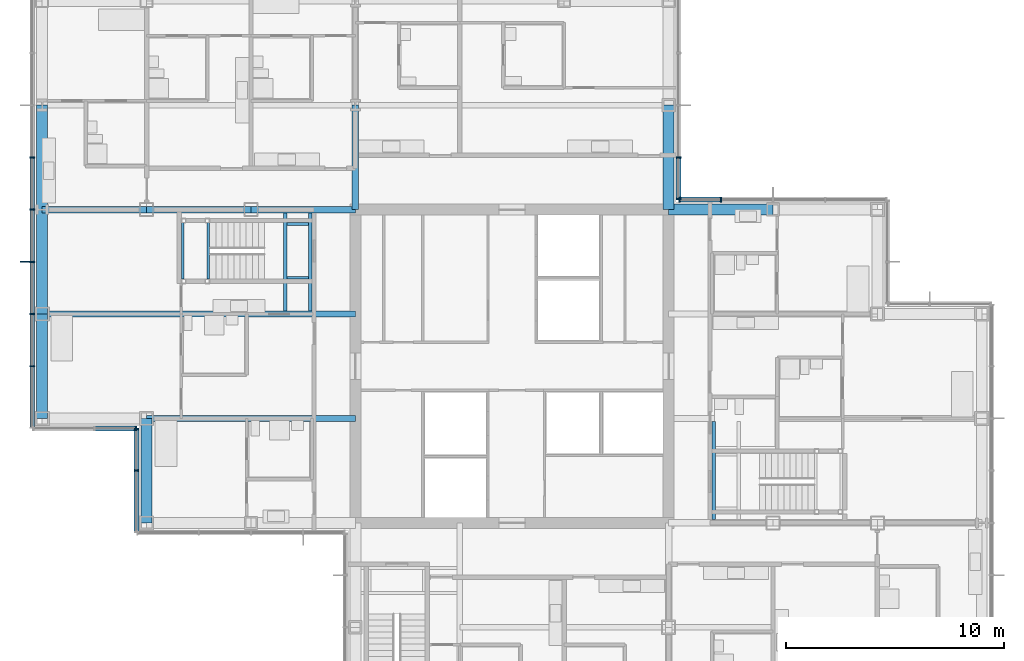
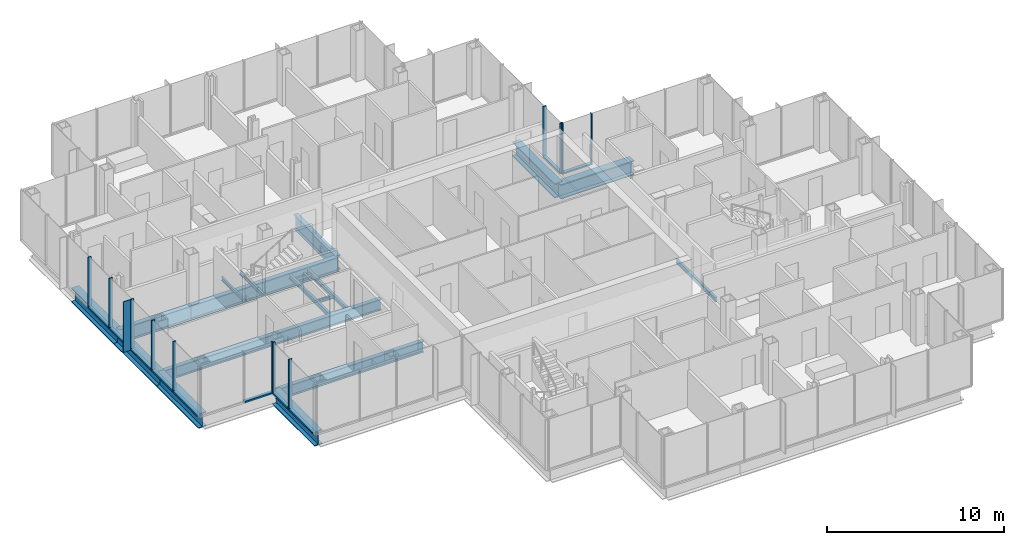
# One storey, part 7 of 20: 23 members, 19 beams, 5 elements without a shape of their own.
"""IFC4 building model written with IfcOpenShell, lengths in metres."""

import ifcopenshell
import ifcopenshell.guid

model = None  # the IFC model being written
_history = None  # IfcOwnerHistory: only IFC2X3 demands one
_inside = {}  # id of a spatial element -> (the spatial element, [elements in it])
_under = {}  # id of a project, library or spatial element -> (it, [spatial elements below it])
_declared = {}  # id of a project -> (the project, [libraries it declares])
_typed = {}  # id of a type object -> (the type object, [elements of that type])
_made_of = {}  # id of a material, layer set ... -> (it, [elements and type objects made of it])


def new_model(schema):
    """Start an empty IFC model of exactly this schema.

    Asked for "IFC4X3", IfcOpenShell would pick the latest addendum, in which some entities
    have other attributes; the version numbers below select the first issue.
    IFC2X3 requires an IfcOwnerHistory on every rooted entity: one is made here for all.
    """
    global model, _history
    if schema == "IFC4X3":
        model = ifcopenshell.file(schema_version=(4, 3, 0, 0))
    else:
        model = ifcopenshell.file(schema=schema)
    _inside.clear()
    _under.clear()
    _declared.clear()
    _typed.clear()
    _made_of.clear()
    _history = None
    if model.schema == "IFC2X3":
        org = make("IfcOrganization", Name="unknown")
        user = make(
            "IfcPersonAndOrganization",
            ThePerson=make("IfcPerson", FamilyName="unknown"),
            TheOrganization=org,
        )
        app = make(
            "IfcApplication",
            ApplicationDeveloper=org,
            Version="unknown",
            ApplicationFullName="unknown",
            ApplicationIdentifier="unknown",
        )
        _history = make(
            "IfcOwnerHistory",
            OwningUser=user,
            OwningApplication=app,
            ChangeAction="ADDED",
            CreationDate=0,
        )
    return model


def make(cls, **values):
    """One entity of the class cls with the attributes given. An attribute that is None is left unset."""
    return model.create_entity(
        cls, **{name: value for name, value in values.items() if value is not None}
    )


def rooted(cls, **values):
    """An entity with a GlobalId (a new one), such as an element, a storey or a relation."""
    return make(cls, GlobalId=ifcopenshell.guid.new(), OwnerHistory=_history, **values)


def si_unit(unit_type, name, prefix=None):
    """IfcSIUnit, for example si_unit("LENGTHUNIT", "METRE", prefix="MILLI")."""
    return make("IfcSIUnit", UnitType=unit_type, Prefix=prefix, Name=name)


def assignment(units):
    """IfcUnitAssignment: the units of a project."""
    return None if units is None else make("IfcUnitAssignment", Units=units)


def point(xyz):
    """IfcCartesianPoint."""
    return None if xyz is None else make("IfcCartesianPoint", Coordinates=xyz)


def direction(xyz):
    """IfcDirection."""
    return None if xyz is None else make("IfcDirection", DirectionRatios=xyz)


def frame(location, z_axis=None, x_axis=None):
    """IfcAxis2Placement3D, a coordinate frame: its origin and axes. An axis left out is left unset."""
    return make(
        "IfcAxis2Placement3D",
        Location=point(location),
        Axis=direction(z_axis),
        RefDirection=direction(x_axis),
    )


def frame_2d(location, x_axis=None):
    """IfcAxis2Placement2D, a coordinate frame in the plane: its origin and x axis."""
    return make(
        "IfcAxis2Placement2D", Location=point(location), RefDirection=direction(x_axis)
    )


def origin():
    """The frame at (0, 0, 0) with its axes left unset."""
    return frame((0.0, 0.0, 0.0))


def origin_2d():
    """The frame at (0, 0) in the plane with its x axis left unset."""
    return frame_2d((0.0, 0.0))


def place(relative_to, where):
    """IfcLocalPlacement: puts the frame where relative to a parent placement (None: the world)."""
    return make(
        "IfcLocalPlacement", PlacementRelTo=relative_to, RelativePlacement=where
    )


def context(
    kind, dimensions, precision=None, world=None, true_north=None, identifier=None
):
    """IfcGeometricRepresentationContext, for example the 3D "Model" context."""
    return make(
        "IfcGeometricRepresentationContext",
        ContextIdentifier=identifier,
        ContextType=kind,
        CoordinateSpaceDimension=dimensions,
        Precision=precision,
        WorldCoordinateSystem=world,
        TrueNorth=true_north,
    )


def subcontext(parent, identifier, kind, view, scale=None):
    """IfcGeometricRepresentationSubContext, for example "Body" below "Model"."""
    return make(
        "IfcGeometricRepresentationSubContext",
        ContextIdentifier=identifier,
        ContextType=kind,
        ParentContext=parent,
        TargetScale=scale,
        TargetView=view,
    )


def project(units=None, contexts=None):
    """IfcProject with its units and contexts."""
    return rooted(
        "IfcProject",
        Name="project",
        RepresentationContexts=contexts,
        UnitsInContext=assignment(units),
    )


def spatial(cls, under=None, at=None, **own):
    """A site, building, storey or space (cls), placed at a placement, below another one or the project."""
    s = rooted(cls, ObjectPlacement=at, **own)
    if under is not None:
        _under.setdefault(under.id(), (under, []))[1].append(s)
    return s


def profile(cls, at=None, kind="AREA", **sizes):
    """A parametric profile (cls). Its sizes go by their IFC names, for example OverallWidth=200.0."""
    return make(cls, ProfileType=kind, Position=at, **sizes)


def rectangle(**sizes):
    """IfcRectangleProfileDef."""
    return profile("IfcRectangleProfileDef", **sizes)


def i_section(**sizes):
    """IfcIShapeProfileDef."""
    return profile("IfcIShapeProfileDef", **sizes)


def extrude(swept, where, along, depth):
    """IfcExtrudedAreaSolid: the profile swept, set in the frame where, extruded along a direction by depth."""
    return make(
        "IfcExtrudedAreaSolid",
        SweptArea=swept,
        Position=where,
        ExtrudedDirection=direction(along),
        Depth=depth,
    )


def shape(context_of_items, identifier, shape_type, items):
    """IfcShapeRepresentation: the items that make up one representation, for example the "Body"."""
    return make(
        "IfcShapeRepresentation",
        ContextOfItems=context_of_items,
        RepresentationIdentifier=identifier,
        RepresentationType=shape_type,
        Items=items,
    )


def material(Name=None, Category=None):
    """IfcMaterial."""
    return make("IfcMaterial", Name=Name, Category=Category)


def material_profile(
    of_material, cross_section, Name=None, Category=None, Priority=None
):
    """IfcMaterialProfile: a cross section and its material."""
    return make(
        "IfcMaterialProfile",
        Name=Name,
        Material=of_material,
        Profile=cross_section,
        Priority=Priority,
        Category=Category,
    )


def profile_set(profiles, Name=None, composite=None):
    """IfcMaterialProfileSet."""
    return make(
        "IfcMaterialProfileSet",
        Name=Name,
        MaterialProfiles=profiles,
        CompositeProfile=composite,
    )


def made_of(thing, what):
    """Note that an element or type object is made of a material, layer set ...; save() writes the relation."""
    if what is not None:
        _made_of.setdefault(what.id(), (what, []))[1].append(thing)
    return thing


def type_object(cls, material=None, **own):
    """A type object (cls), such as IfcWallType, which elements share."""
    return made_of(rooted(cls, **own), material)


def element(
    cls,
    number,
    at=None,
    inside=None,
    cuts=None,
    type_object=None,
    material=None,
    context=None,
    identifier="Body",
    shape_type=None,
    held_by="IfcProductDefinitionShape",
    body=None,
    shapes=None,
    **own,
):
    """One element of the class cls, such as IfcWall. Its Tag is "e" and its number.

    at: its placement. inside: the storey or other place that contains it. cuts: it is an
    opening in that element (IfcRelVoidsElement). A single representation is given by context,
    identifier, shape_type and body (its items); several are given by shapes. held_by: the class
    of the entity that holds the representations. save() writes the other relations.
    """
    e = rooted(cls, Tag="e%d" % number, ObjectPlacement=at, **own)
    if body is not None:
        shapes = [shape(context, identifier, shape_type, body)]
    if shapes is not None:
        e.Representation = make(held_by, Representations=shapes)
    if inside is not None:
        _inside.setdefault(inside.id(), (inside, []))[1].append(e)
    if cuts is not None:
        rooted(
            "IfcRelVoidsElement", RelatingBuildingElement=cuts, RelatedOpeningElement=e
        )
    if type_object is not None:
        _typed.setdefault(type_object.id(), (type_object, []))[1].append(e)
    return made_of(e, material)


def aggregate(whole, parts):
    """IfcRelAggregates: a whole, such as a stair, and the parts it consists of."""
    return rooted("IfcRelAggregates", RelatingObject=whole, RelatedObjects=parts)


def save(model, path):
    """Write the relations noted so far, then the file.

    IfcRelAggregates (storeys below a building ...), IfcRelContainedInSpatialStructure (elements
    in a storey), IfcRelDefinesByType, IfcRelAssociatesMaterial and IfcRelDeclares: one each for
    every whole, place, type object, material and project.
    """
    for whole, parts in _under.values():
        aggregate(whole, parts)
    for where, things in _inside.values():
        rooted(
            "IfcRelContainedInSpatialStructure",
            RelatedElements=things,
            RelatingStructure=where,
        )
    for kind, things in _typed.values():
        rooted("IfcRelDefinesByType", RelatedObjects=things, RelatingType=kind)
    for what, things in _made_of.values():
        rooted("IfcRelAssociatesMaterial", RelatedObjects=things, RelatingMaterial=what)
    for by, libraries in _declared.values():
        rooted("IfcRelDeclares", RelatingContext=by, RelatedDefinitions=libraries)
    model.write(path)


model = new_model("IFC4")

# Units and contexts
model_context = context("Model", 3, precision=1e-05, world=origin(), true_north=direction((0.0, 1.0)))
body_context = subcontext(model_context, "Body", "Model", "MODEL_VIEW")
ifc_project = project(units=[si_unit("LENGTHUNIT", "METRE"), si_unit("AREAUNIT", "SQUARE_METRE"), si_unit("VOLUMEUNIT", "CUBIC_METRE"), si_unit("PLANEANGLEUNIT", "RADIAN"), si_unit("MASSUNIT", "GRAM", prefix="KILO")], contexts=[model_context])

# Site, building, storey
site_placement = place(None, origin())
site = spatial("IfcSite", under=ifc_project, at=site_placement, CompositionType="ELEMENT")
building_placement = place(site_placement, origin())
building = spatial("IfcBuilding", under=site, at=building_placement, Name="Kvirike Care Tower", CompositionType="ELEMENT")
storey_placement = place(building_placement, frame((0.0, 0.0, 105.0)))
storey = spatial("IfcBuildingStorey", under=building, at=storey_placement, Name="L28", CompositionType="ELEMENT", Elevation=105.0)

# Curtain wall, member
ifc_material_1 = material(Name="Anodised aluminium stick system", Category="aluminium")
curtain_wall_type = type_object("IfcCurtainWallType", Name="CW-B STICK CURTAIN WALL", PredefinedType="NOTDEFINED", material=ifc_material_1)
curtain_wall_1_placement = place(storey_placement, origin())
curtain_wall_1 = element("IfcCurtainWall", 1, at=curtain_wall_1_placement, inside=storey, type_object=curtain_wall_type, Name="Curtain wall L28 face 11", PredefinedType="NOTDEFINED")
ifc_material_2 = material(Name="Bronze anodised aluminium fin", Category="aluminium")
ifc_material_profile_1 = material_profile(ifc_material_2, rectangle(XDim=0.050048828125, YDim=0.449951171875, at=origin_2d()), Name="BRONZE FIN 450")
ifc_profile_set_1 = profile_set([ifc_material_profile_1], Name="Bronze anodised aluminium fin")
member_type_1 = type_object("IfcMemberType", Name="BRONZE FIN 450", PredefinedType="USERDEFINED", material=ifc_profile_set_1)
member_1_placement = place(storey_placement, frame((-0.794921875, 40.800048828125, 0.0), z_axis=(0.0, 0.0, 1.0), x_axis=(0.0, -1.0, 0.0)))
member_1 = element("IfcMember", 2, at=member_1_placement, type_object=member_type_1, Name="Bronze fin L28 face 11.6", ObjectType="FIN", PredefinedType="USERDEFINED", context=body_context, shape_type="SweptSolid", body=[
    extrude(rectangle(XDim=0.050048828125, YDim=0.449951171875, at=origin_2d()), origin(), (0.0, 0.0, 1.0), 3.5),
])

# Curtain wall, members
curtain_wall_2_placement = place(storey_placement, origin())
curtain_wall_2 = element("IfcCurtainWall", 3, at=curtain_wall_2_placement, inside=storey, type_object=curtain_wall_type, Name="Curtain wall L28 face 4", PredefinedType="NOTDEFINED")
ifc_material_3 = material(Name="Bronze anodised aluminium mullion", Category="aluminium")
ifc_material_profile_2 = material_profile(ifc_material_3, rectangle(XDim=0.06494140625, YDim=0.219970703125, at=origin_2d()), Name="CW-B MULLION 65x220")
ifc_profile_set_2 = profile_set([ifc_material_profile_2], Name="Bronze anodised aluminium mullion")
member_type_2 = type_object("IfcMemberType", Name="CW-B MULLION 65x220", PredefinedType="MULLION", material=ifc_profile_set_2)
member_2_placement = place(storey_placement, frame((31.199951171875, 43.659912109375, 0.0), z_axis=(0.0, 0.0, 1.0), x_axis=(-1.0, 0.0, 0.0)))
member_2 = element("IfcMember", 4, at=member_2_placement, type_object=member_type_2, Name="CW-B mullion L28 face 4.4", PredefinedType="MULLION", context=body_context, shape_type="SweptSolid", body=[
    extrude(rectangle(XDim=0.06494140625, YDim=0.219970703125, at=origin_2d()), origin(), (0.0, 0.0, 1.0), 3.5),
])
member_3_placement = place(storey_placement, frame((29.29248046875, 43.659912109375, 0.0), z_axis=(0.0, 0.0, 1.0), x_axis=(-1.0, 0.0, 0.0)))
member_3 = element("IfcMember", 5, at=member_3_placement, type_object=member_type_2, Name="CW-B mullion L28 face 4.5", PredefinedType="MULLION", context=body_context, shape_type="SweptSolid", body=[
    extrude(rectangle(XDim=0.06494140625, YDim=0.219970703125, at=origin_2d()), origin(), (0.0, 0.0, 1.0), 3.5),
])

curtain_wall_3_placement = place(storey_placement, origin())
curtain_wall_3 = element("IfcCurtainWall", 6, at=curtain_wall_3_placement, inside=storey, type_object=curtain_wall_type, Name="Curtain wall L28 face 5", PredefinedType="NOTDEFINED")
member_4_placement = place(storey_placement, frame((29.260009765625, 43.6923828125, 0.0), z_axis=(0.0, 0.0, 1.0), x_axis=(0.0, 1.0, 0.0)))
member_4 = element("IfcMember", 7, at=member_4_placement, type_object=member_type_2, Name="CW-B mullion L28 face 5.1", PredefinedType="MULLION", context=body_context, shape_type="SweptSolid", body=[
    extrude(rectangle(XDim=0.06494140625, YDim=0.219970703125, at=origin_2d()), origin(), (0.0, 0.0, 1.0), 3.5),
])
member_5_placement = place(storey_placement, frame((29.260009765625, 45.60009765625, 0.0), z_axis=(0.0, 0.0, 1.0), x_axis=(0.0, 1.0, 0.0)))
member_5 = element("IfcMember", 8, at=member_5_placement, type_object=member_type_2, Name="CW-B mullion L28 face 5.2", PredefinedType="MULLION", context=body_context, shape_type="SweptSolid", body=[
    extrude(rectangle(XDim=0.06494140625, YDim=0.219970703125, at=origin_2d()), origin(), (0.0, 0.0, 1.0), 3.5),
])

# Member
member_6_placement = place(storey_placement, frame((-0.4599609375, 45.60009765625, 0.0), z_axis=(0.0, 0.0, 1.0), x_axis=(0.0, -1.0, 0.0)))
member_6 = element("IfcMember", 9, at=member_6_placement, type_object=member_type_2, Name="CW-B mullion L28 face 11.4", PredefinedType="MULLION", context=body_context, shape_type="SweptSolid", body=[
    extrude(rectangle(XDim=0.06494140625, YDim=0.219970703125, at=origin_2d()), origin(), (0.0, 0.0, 1.0), 3.5),
])

member_7_placement = place(storey_placement, frame((-0.4599609375, 43.199951171875, 0.0), z_axis=(0.0, 0.0, 1.0), x_axis=(0.0, -1.0, 0.0)))
member_7 = element("IfcMember", 10, at=member_7_placement, type_object=member_type_2, Name="CW-B mullion L28 face 11.5", PredefinedType="MULLION", context=body_context, shape_type="SweptSolid", body=[
    extrude(rectangle(XDim=0.06494140625, YDim=0.219970703125, at=origin_2d()), origin(), (0.0, 0.0, 1.0), 3.5),
])

member_8_placement = place(storey_placement, frame((-0.4599609375, 40.800048828125, 0.0), z_axis=(0.0, 0.0, 1.0), x_axis=(0.0, -1.0, 0.0)))
member_8 = element("IfcMember", 11, at=member_8_placement, type_object=member_type_2, Name="CW-B mullion L28 face 11.6", PredefinedType="MULLION", context=body_context, shape_type="SweptSolid", body=[
    extrude(rectangle(XDim=0.06494140625, YDim=0.219970703125, at=origin_2d()), origin(), (0.0, 0.0, 1.0), 3.5),
])

member_9_placement = place(storey_placement, frame((-0.4599609375, 38.39990234375, 0.0), z_axis=(0.0, 0.0, 1.0), x_axis=(0.0, -1.0, 0.0)))
member_9 = element("IfcMember", 12, at=member_9_placement, type_object=member_type_2, Name="CW-B mullion L28 face 11.7", PredefinedType="MULLION", context=body_context, shape_type="SweptSolid", body=[
    extrude(rectangle(XDim=0.06494140625, YDim=0.219970703125, at=origin_2d()), origin(), (0.0, 0.0, 1.0), 3.5),
])

member_10_placement = place(storey_placement, frame((-0.4599609375, 36.0, 0.0), z_axis=(0.0, 0.0, 1.0), x_axis=(0.0, -1.0, 0.0)))
member_10 = element("IfcMember", 13, at=member_10_placement, type_object=member_type_2, Name="CW-B mullion L28 face 11.8", PredefinedType="MULLION", context=body_context, shape_type="SweptSolid", body=[
    extrude(rectangle(XDim=0.06494140625, YDim=0.219970703125, at=origin_2d()), origin(), (0.0, 0.0, 1.0), 3.5),
])

# Curtain wall, member
curtain_wall_4_placement = place(storey_placement, origin())
curtain_wall_4 = element("IfcCurtainWall", 14, at=curtain_wall_4_placement, inside=storey, type_object=curtain_wall_type, Name="Curtain wall L28 face 12", PredefinedType="NOTDEFINED")
member_11_placement = place(storey_placement, frame((4.3076171875, 33.139892578125, 0.0), z_axis=(0.0, 0.0, 1.0), x_axis=(1.0, 0.0, 0.0)))
member_11 = element("IfcMember", 15, at=member_11_placement, type_object=member_type_2, Name="CW-B mullion L28 face 12.3", PredefinedType="MULLION", context=body_context, shape_type="SweptSolid", body=[
    extrude(rectangle(XDim=0.06494140625, YDim=0.219970703125, at=origin_2d()), origin(), (0.0, 0.0, 1.0), 3.5),
])

# Curtain wall, members
curtain_wall_5_placement = place(storey_placement, origin())
curtain_wall_5 = element("IfcCurtainWall", 16, at=curtain_wall_5_placement, inside=storey, type_object=curtain_wall_type, Name="Curtain wall L28 face 13", PredefinedType="NOTDEFINED")
member_12_placement = place(storey_placement, frame((4.340087890625, 33.107421875, 0.0), z_axis=(0.0, 0.0, 1.0), x_axis=(0.0, -1.0, 0.0)))
member_12 = element("IfcMember", 17, at=member_12_placement, type_object=member_type_2, Name="CW-B mullion L28 face 13.1", PredefinedType="MULLION", context=body_context, shape_type="SweptSolid", body=[
    extrude(rectangle(XDim=0.06494140625, YDim=0.219970703125, at=origin_2d()), origin(), (0.0, 0.0, 1.0), 3.5),
])
member_13_placement = place(storey_placement, frame((4.340087890625, 31.199951171875, 0.0), z_axis=(0.0, 0.0, 1.0), x_axis=(0.0, -1.0, 0.0)))
member_13 = element("IfcMember", 18, at=member_13_placement, type_object=member_type_2, Name="CW-B mullion L28 face 13.2", PredefinedType="MULLION", context=body_context, shape_type="SweptSolid", body=[
    extrude(rectangle(XDim=0.06494140625, YDim=0.219970703125, at=origin_2d()), origin(), (0.0, 0.0, 1.0), 3.5),
])

# Member
ifc_material_4 = material(Name="Bronze anodised aluminium transom", Category="aluminium")
ifc_material_profile_3 = material_profile(ifc_material_4, rectangle(XDim=0.219970703125, YDim=0.10009765625, at=origin_2d()), Name="CW-B TRANSOM 220x100")
ifc_profile_set_3 = profile_set([ifc_material_profile_3], Name="Bronze anodised aluminium transom")
member_type_3 = type_object("IfcMemberType", Name="CW-B TRANSOM 220x100", PredefinedType="USERDEFINED", material=ifc_profile_set_3)
member_14_placement = place(storey_placement, frame((31.16748046875, 43.659912109375, 0.050048828125), z_axis=(-1.0, 0.0, 0.0), x_axis=(0.0, -1.0, 0.0)))
member_14 = element("IfcMember", 19, at=member_14_placement, type_object=member_type_3, Name="CW-B sill transom L28 face 4.4", ObjectType="TRANSOM", PredefinedType="USERDEFINED", context=body_context, shape_type="SweptSolid", body=[
    extrude(rectangle(XDim=0.219970703125, YDim=0.10009765625, at=origin_2d()), origin(), (0.0, 0.0, 1.0), 1.842529296875),
])

aggregate(curtain_wall_2, [member_2, member_3, member_14])

member_15_placement = place(storey_placement, frame((29.260009765625, 43.72509765625, 0.050048828125), z_axis=(0.0, 1.0, 0.0), x_axis=(-1.0, 0.0, 0.0)))
member_15 = element("IfcMember", 20, at=member_15_placement, type_object=member_type_3, Name="CW-B sill transom L28 face 5.1", ObjectType="TRANSOM", PredefinedType="USERDEFINED", context=body_context, shape_type="SweptSolid", body=[
    extrude(rectangle(XDim=0.219970703125, YDim=0.10009765625, at=origin_2d()), origin(), (0.0, 0.0, 1.0), 1.84228515625),
])

aggregate(curtain_wall_3, [member_4, member_5, member_15])

member_16_placement = place(storey_placement, frame((-0.4599609375, 45.5673828125, 0.050048828125), z_axis=(0.0, -1.0, 0.0), x_axis=(1.0, 0.0, 0.0)))
member_16 = element("IfcMember", 21, at=member_16_placement, type_object=member_type_3, Name="CW-B sill transom L28 face 11.4", ObjectType="TRANSOM", PredefinedType="USERDEFINED", context=body_context, shape_type="SweptSolid", body=[
    extrude(rectangle(XDim=0.219970703125, YDim=0.10009765625, at=origin_2d()), origin(), (0.0, 0.0, 1.0), 2.3349609375),
])

member_17_placement = place(storey_placement, frame((-0.4599609375, 43.16748046875, 0.050048828125), z_axis=(0.0, -1.0, 0.0), x_axis=(1.0, 0.0, 0.0)))
member_17 = element("IfcMember", 22, at=member_17_placement, type_object=member_type_3, Name="CW-B sill transom L28 face 11.5", ObjectType="TRANSOM", PredefinedType="USERDEFINED", context=body_context, shape_type="SweptSolid", body=[
    extrude(rectangle(XDim=0.219970703125, YDim=0.10009765625, at=origin_2d()), origin(), (0.0, 0.0, 1.0), 2.3349609375),
])

member_18_placement = place(storey_placement, frame((-0.4599609375, 40.767578125, 0.050048828125), z_axis=(0.0, -1.0, 0.0), x_axis=(1.0, 0.0, 0.0)))
member_18 = element("IfcMember", 23, at=member_18_placement, type_object=member_type_3, Name="CW-B sill transom L28 face 11.6", ObjectType="TRANSOM", PredefinedType="USERDEFINED", context=body_context, shape_type="SweptSolid", body=[
    extrude(rectangle(XDim=0.219970703125, YDim=0.10009765625, at=origin_2d()), origin(), (0.0, 0.0, 1.0), 2.3349609375),
])

member_19_placement = place(storey_placement, frame((-0.4599609375, 38.367431640625, 0.050048828125), z_axis=(0.0, -1.0, 0.0), x_axis=(1.0, 0.0, 0.0)))
member_19 = element("IfcMember", 24, at=member_19_placement, type_object=member_type_3, Name="CW-B sill transom L28 face 11.7", ObjectType="TRANSOM", PredefinedType="USERDEFINED", context=body_context, shape_type="SweptSolid", body=[
    extrude(rectangle(XDim=0.219970703125, YDim=0.10009765625, at=origin_2d()), origin(), (0.0, 0.0, 1.0), 2.3349609375),
])

member_20_placement = place(storey_placement, frame((-0.4599609375, 35.967529296875, 0.050048828125), z_axis=(0.0, -1.0, 0.0), x_axis=(1.0, 0.0, 0.0)))
member_20 = element("IfcMember", 25, at=member_20_placement, type_object=member_type_3, Name="CW-B sill transom L28 face 11.8", ObjectType="TRANSOM", PredefinedType="USERDEFINED", context=body_context, shape_type="SweptSolid", body=[
    extrude(rectangle(XDim=0.219970703125, YDim=0.10009765625, at=origin_2d()), origin(), (0.0, 0.0, 1.0), 2.762451171875),
])

aggregate(curtain_wall_1, [member_6, member_7, member_8, member_1, member_9, member_10, member_16, member_17, member_18, member_19, member_20])

member_21_placement = place(storey_placement, frame((2.4326171875, 33.139892578125, 0.050048828125), z_axis=(1.0, 0.0, 0.0), x_axis=(0.0, 1.0, 0.0)))
member_21 = element("IfcMember", 26, at=member_21_placement, type_object=member_type_3, Name="CW-B sill transom L28 face 12.2", ObjectType="TRANSOM", PredefinedType="USERDEFINED", context=body_context, shape_type="SweptSolid", body=[
    extrude(rectangle(XDim=0.219970703125, YDim=0.10009765625, at=origin_2d()), origin(), (0.0, 0.0, 1.0), 1.84228515625),
])

aggregate(curtain_wall_4, [member_11, member_21])

member_22_placement = place(storey_placement, frame((4.340087890625, 33.074951171875, 0.050048828125), z_axis=(0.0, -1.0, 0.0), x_axis=(1.0, 0.0, 0.0)))
member_22 = element("IfcMember", 27, at=member_22_placement, type_object=member_type_3, Name="CW-B sill transom L28 face 13.1", ObjectType="TRANSOM", PredefinedType="USERDEFINED", context=body_context, shape_type="SweptSolid", body=[
    extrude(rectangle(XDim=0.219970703125, YDim=0.10009765625, at=origin_2d()), origin(), (0.0, 0.0, 1.0), 1.842529296875),
])

member_23_placement = place(storey_placement, frame((4.340087890625, 31.16748046875, 0.050048828125), z_axis=(0.0, -1.0, 0.0), x_axis=(1.0, 0.0, 0.0)))
member_23 = element("IfcMember", 28, at=member_23_placement, type_object=member_type_3, Name="CW-B sill transom L28 face 13.2", ObjectType="TRANSOM", PredefinedType="USERDEFINED", context=body_context, shape_type="SweptSolid", body=[
    extrude(rectangle(XDim=0.219970703125, YDim=0.10009765625, at=origin_2d()), origin(), (0.0, 0.0, 1.0), 2.762451171875),
])

aggregate(curtain_wall_5, [member_12, member_13, member_22, member_23])

# Beams
ifc_material_5 = material(Name="Steel S355", Category="steel")
ifc_material_profile_4 = material_profile(ifc_material_5, i_section(OverallWidth=0.26806640625, OverallDepth=0.77001953125, WebThickness=0.015625, FlangeThickness=0.025390625, FilletRadius=0.01708984375, at=origin_2d()), Name="IPE 750x196")
ifc_profile_set_4 = profile_set([ifc_material_profile_4], Name="Steel S355")
beam_type_1 = type_object("IfcBeamType", Name="FLOOR BEAM IPE 750x196", PredefinedType="BEAM", material=ifc_profile_set_4)
beam_1_placement = place(storey_placement, frame((4.800048828125, 33.60009765625, -0.554931640625), z_axis=(1.0, 0.0, 0.0), x_axis=(0.0, 1.0, 0.0)))
element("IfcBeam", 29, at=beam_1_placement, inside=storey, type_object=beam_type_1, Name="Floor Beam H4-H6 L28", PredefinedType="BEAM", context=body_context, shape_type="SweptSolid", body=[
    extrude(i_section(OverallWidth=0.26806640625, OverallDepth=0.77001953125, WebThickness=0.015625, FlangeThickness=0.025390625, FilletRadius=0.01708984375, at=origin_2d()), origin(), (0.0, 0.0, 1.0), 9.599853515625),
])
beam_2_placement = place(storey_placement, frame((0.0, 38.39990234375, -0.554931640625), z_axis=(1.0, 0.0, 0.0), x_axis=(0.0, 1.0, 0.0)))
element("IfcBeam", 30, at=beam_2_placement, inside=storey, type_object=beam_type_1, Name="Floor Beam J3-J6 L28", PredefinedType="BEAM", context=body_context, shape_type="SweptSolid", body=[
    extrude(i_section(OverallWidth=0.26806640625, OverallDepth=0.77001953125, WebThickness=0.015625, FlangeThickness=0.025390625, FilletRadius=0.01708984375, at=origin_2d()), origin(), (0.0, 0.0, 1.0), 14.39990234375),
])
ifc_material_6 = material(Name="Steel S355", Category="steel")
ifc_material_profile_5 = material_profile(ifc_material_6, i_section(OverallWidth=0.300048828125, OverallDepth=1.0, WebThickness=0.01904296875, FlangeThickness=0.035888671875, FilletRadius=0.030029296875, at=origin_2d()), Name="HE 1000 B")
ifc_profile_set_5 = profile_set([ifc_material_profile_5], Name="Steel S355")
beam_type_2 = type_object("IfcBeamType", Name="FRAME BEAM HE 1000 B", PredefinedType="BEAM", material=ifc_profile_set_5)
for number, where, z_axis, x_axis, name in (
    (31, (0.0, 43.199951171875, -0.669921875), (1.0, 0.0, 0.0), (0.0, 1.0, 0.0), "Frame Beam K3-K4 L28"),
    (32, (4.800048828125, 43.199951171875, -0.669921875), (1.0, 0.0, 0.0), (0.0, 1.0, 0.0), "Frame Beam K4-K5 L28"),
):
    element("IfcBeam", number, at=place(storey_placement, frame(where, z_axis=z_axis, x_axis=x_axis)), inside=storey, type_object=beam_type_2, Name=name, PredefinedType="BEAM", context=body_context, shape_type="SweptSolid", body=[
        extrude(i_section(OverallWidth=0.300048828125, OverallDepth=1.0, WebThickness=0.01904296875, FlangeThickness=0.035888671875, FilletRadius=0.030029296875, at=origin_2d()), origin(), (0.0, 0.0, 1.0), 4.800048828125),
    ])
beam_3_placement = place(storey_placement, frame((9.60009765625, 43.199951171875, -0.669921875), z_axis=(1.0, 0.0, 0.0), x_axis=(0.0, 1.0, 0.0)))
element("IfcBeam", 33, at=beam_3_placement, inside=storey, type_object=beam_type_2, Name="Frame Beam K5-K6 L28", PredefinedType="BEAM", context=body_context, shape_type="SweptSolid", body=[
    extrude(i_section(OverallWidth=0.300048828125, OverallDepth=1.0, WebThickness=0.01904296875, FlangeThickness=0.035888671875, FilletRadius=0.030029296875, at=origin_2d()), origin(), (0.0, 0.0, 1.0), 4.7998046875),
])
beam_4_placement = place(storey_placement, frame((14.39990234375, 43.199951171875, -0.669921875), z_axis=(0.0, 1.0, 0.0), x_axis=(-1.0, 0.0, 0.0)))
element("IfcBeam", 34, at=beam_4_placement, inside=storey, type_object=beam_type_2, Name="Frame Beam K6-L6 L28", PredefinedType="BEAM", context=body_context, shape_type="SweptSolid", body=[
    extrude(i_section(OverallWidth=0.300048828125, OverallDepth=1.0, WebThickness=0.01904296875, FlangeThickness=0.035888671875, FilletRadius=0.030029296875, at=origin_2d()), origin(), (0.0, 0.0, 1.0), 4.800048828125),
])
ifc_material_7 = material(Name="Steel S355", Category="steel")
ifc_material_profile_6 = material_profile(ifc_material_7, i_section(OverallWidth=0.5, OverallDepth=1.0, WebThickness=0.030029296875, FlangeThickness=0.06005859375, at=origin_2d()), Name="PG 1000x500x30x60")
ifc_profile_set_6 = profile_set([ifc_material_profile_6], Name="Steel S355")
beam_type_3 = type_object("IfcBeamType", Name="SPANDREL PG 1000x500x30x60", PredefinedType="SPANDREL", material=ifc_profile_set_6)
beam_5_placement = place(storey_placement, frame((28.800048828125, 43.199951171875, -0.669921875), z_axis=(1.0, 0.0, 0.0), x_axis=(0.0, 1.0, 0.0)))
element("IfcBeam", 35, at=beam_5_placement, inside=storey, type_object=beam_type_3, Name="Spandrel K9-K10 L28", PredefinedType="SPANDREL", context=body_context, shape_type="SweptSolid", body=[
    extrude(i_section(OverallWidth=0.5, OverallDepth=1.0, WebThickness=0.030029296875, FlangeThickness=0.06005859375, at=origin_2d()), origin(), (0.0, 0.0, 1.0), 4.800048828125),
])
beam_6_placement = place(storey_placement, frame((0.0, 33.60009765625, -0.669921875), z_axis=(0.0, 1.0, 0.0), x_axis=(-1.0, 0.0, 0.0)))
element("IfcBeam", 36, at=beam_6_placement, inside=storey, type_object=beam_type_3, Name="Spandrel H3-J3 L28", PredefinedType="SPANDREL", context=body_context, shape_type="SweptSolid", body=[
    extrude(i_section(OverallWidth=0.5, OverallDepth=1.0, WebThickness=0.030029296875, FlangeThickness=0.06005859375, at=origin_2d()), origin(), (0.0, 0.0, 1.0), 4.7998046875),
])
for number, where, z_axis, x_axis, name in (
    (37, (0.0, 38.39990234375, -0.669921875), (0.0, 1.0, 0.0), (-1.0, 0.0, 0.0), "Spandrel J3-K3 L28"),
    (38, (0.0, 43.199951171875, -0.669921875), (0.0, 1.0, 0.0), (-1.0, 0.0, 0.0), "Spandrel K3-L3 L28"),
    (39, (4.800048828125, 28.800048828125, -0.669921875), (0.0, 1.0, 0.0), (-1.0, 0.0, 0.0), "Spandrel G4-H4 L28"),
    (40, (28.800048828125, 43.199951171875, -0.669921875), (0.0, 1.0, 0.0), (-1.0, 0.0, 0.0), "Spandrel K9-L9 L28"),
):
    element("IfcBeam", number, at=place(storey_placement, frame(where, z_axis=z_axis, x_axis=x_axis)), inside=storey, type_object=beam_type_3, Name=name, PredefinedType="SPANDREL", context=body_context, shape_type="SweptSolid", body=[
        extrude(i_section(OverallWidth=0.5, OverallDepth=1.0, WebThickness=0.030029296875, FlangeThickness=0.06005859375, at=origin_2d()), origin(), (0.0, 0.0, 1.0), 4.800048828125),
    ])
ifc_material_8 = material(Name="Steel S355", Category="steel")
ifc_material_profile_7 = material_profile(ifc_material_8, i_section(OverallWidth=0.1201171875, OverallDepth=0.239990234375, WebThickness=0.006103515625, FlangeThickness=0.009765625, FilletRadius=0.014892578125, at=origin_2d()), Name="IPE 240")
ifc_profile_set_7 = profile_set([ifc_material_profile_7], Name="Steel S355")
beam_type_4 = type_object("IfcBeamType", Name="STAIR LANDING BEAM IPE 240", PredefinedType="BEAM", material=ifc_profile_set_7)
for number, where, z_axis, x_axis, name in (
    (41, (6.4599609375, 42.60009765625, 1.429931640625), (0.0, -1.0, 0.0), (1.0, 0.0, 0.0), "Stair 1 landing beam back L28"),
    (42, (7.639892578125, 42.60009765625, 1.429931640625), (0.0, -1.0, 0.0), (1.0, 0.0, 0.0), "Stair 1 landing beam front L28"),
):
    element("IfcBeam", number, at=place(storey_placement, frame(where, z_axis=z_axis, x_axis=x_axis)), inside=storey, type_object=beam_type_4, Name=name, PredefinedType="BEAM", context=body_context, shape_type="SweptSolid", body=[
        extrude(i_section(OverallWidth=0.1201171875, OverallDepth=0.239990234375, WebThickness=0.006103515625, FlangeThickness=0.009765625, FilletRadius=0.014892578125, at=origin_2d()), origin(), (0.0, 0.0, 1.0), 2.60009765625),
    ])
for number, where, z_axis, x_axis, name in (
    (43, (11.25, 42.5400390625, -0.320068359375), (1.0, 0.0, 0.0), (0.0, 1.0, 0.0), "Stair 1 landing edge beam 1 L28"),
    (44, (11.25, 40.06005859375, -0.320068359375), (1.0, 0.0, 0.0), (0.0, 1.0, 0.0), "Stair 1 landing edge beam 2 L28"),
):
    element("IfcBeam", number, at=place(storey_placement, frame(where, z_axis=z_axis, x_axis=x_axis)), inside=storey, type_object=beam_type_4, Name=name, PredefinedType="BEAM", context=body_context, shape_type="SweptSolid", body=[
        extrude(i_section(OverallWidth=0.1201171875, OverallDepth=0.239990234375, WebThickness=0.006103515625, FlangeThickness=0.009765625, FilletRadius=0.014892578125, at=origin_2d()), origin(), (0.0, 0.0, 1.0), 1.0),
    ])
ifc_material_9 = material(Name="Steel S355", Category="steel")
ifc_material_profile_8 = material_profile(ifc_material_9, i_section(OverallWidth=0.14990234375, OverallDepth=0.300048828125, WebThickness=0.007080078125, FlangeThickness=0.0107421875, FilletRadius=0.014892578125, at=origin_2d()), Name="IPE 300")
ifc_profile_set_8 = profile_set([ifc_material_profile_8], Name="Steel S355")
beam_type_5 = type_object("IfcBeamType", Name="STAIR TRIMMER IPE 300", PredefinedType="BEAM", material=ifc_profile_set_8)
for number, where, z_axis, x_axis, name in (
    (45, (11.175048828125, 43.050048828125, -0.35009765625), (0.0, -1.0, 0.0), (1.0, 0.0, 0.0), "Stair 1 trimmer 1 L28"),
    (46, (12.324951171875, 43.050048828125, -0.35009765625), (0.0, -1.0, 0.0), (1.0, 0.0, 0.0), "Stair 1 trimmer 2 L28"),
    (47, (30.875, 28.949951171875, -0.35009765625), (0.0, 1.0, 0.0), (-1.0, 0.0, 0.0), "Stair 2 trimmer 2 L28"),
):
    element("IfcBeam", number, at=place(storey_placement, frame(where, z_axis=z_axis, x_axis=x_axis)), inside=storey, type_object=beam_type_5, Name=name, PredefinedType="BEAM", context=body_context, shape_type="SweptSolid", body=[
        extrude(i_section(OverallWidth=0.14990234375, OverallDepth=0.300048828125, WebThickness=0.007080078125, FlangeThickness=0.0107421875, FilletRadius=0.014892578125, at=origin_2d()), origin(), (0.0, 0.0, 1.0), 4.51611328125),
    ])

save(model, "model.ifc")
